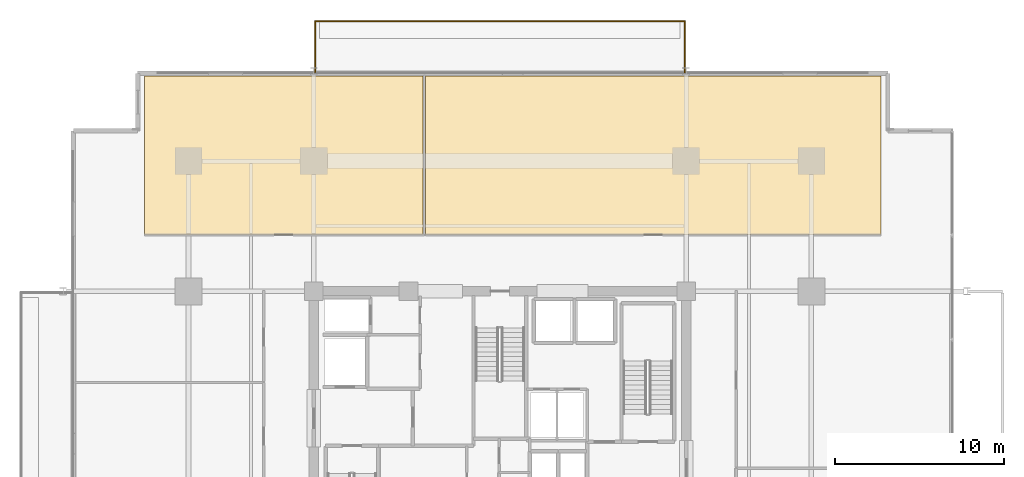
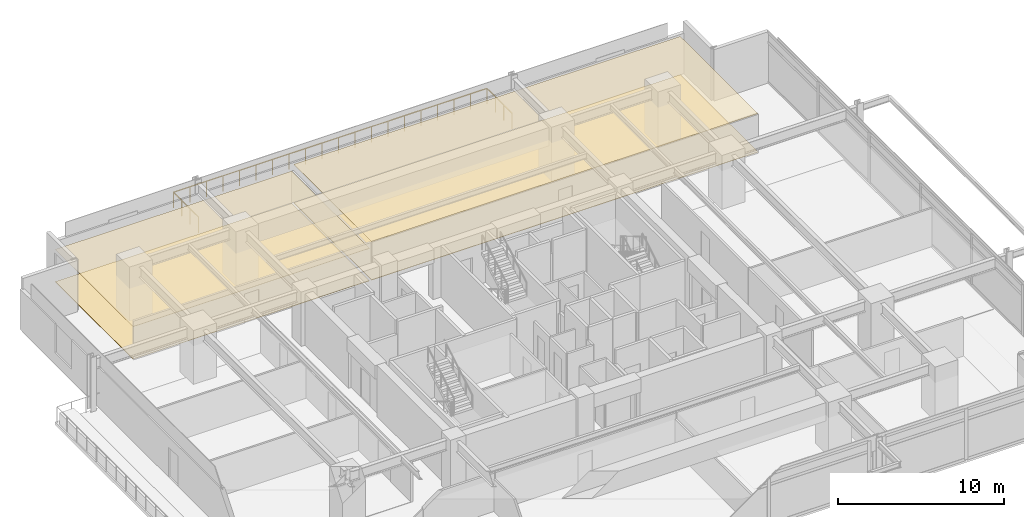
# One storey, part 23 of 23: 4 coverings, 1 railing.
"""IFC4 building model written with IfcOpenShell, lengths in metres."""

from ifc_helpers import new_model, si_unit, direction, frame, origin, origin_2d, place, context, subcontext, project, spatial, polyline, circle, outline, extrude, material, layer, layer_set, type_object, element, save


model = new_model("IFC4")

# Units and contexts
model_context = context("Model", 3, precision=1e-05, world=origin(), true_north=direction((0.0, 1.0)))
body_context = subcontext(model_context, "Body", "Model", "MODEL_VIEW")
ifc_project = project(units=[si_unit("LENGTHUNIT", "METRE"), si_unit("AREAUNIT", "SQUARE_METRE"), si_unit("VOLUMEUNIT", "CUBIC_METRE"), si_unit("PLANEANGLEUNIT", "RADIAN"), si_unit("MASSUNIT", "GRAM", prefix="KILO")], contexts=[model_context])

# Site, building, storey
site_placement = place(None, origin())
site = spatial("IfcSite", under=ifc_project, at=site_placement, CompositionType="ELEMENT")
building_placement = place(site_placement, origin())
building = spatial("IfcBuilding", under=site, at=building_placement, Name="Kovane Verandah Tower", CompositionType="ELEMENT")
storey_placement = place(building_placement, frame((0.0, 0.0, 168.39990234375)))
storey = spatial("IfcBuildingStorey", under=building, at=storey_placement, Name="L39", CompositionType="ELEMENT", Elevation=168.39990234375)

# Coverings
ifc_material_1 = material(Name="Perforated Acoustic Mineral-Fibre Ceiling Tile", Category="gypsum")
ifc_layer_1 = layer(ifc_material_1, 0.02490234375)
ifc_layer_set_1 = layer_set([ifc_layer_1], Name="Perforated Acoustic Mineral-Fibre Ceiling Tile")
covering_type_1 = type_object("IfcCoveringType", Name="CV-CEIL-25", PredefinedType="CEILING", material=ifc_layer_set_1)
covering_1_placement = place(storey_placement, frame((0.0, 0.0, 2.380126953125)))
element("IfcCovering", 1, at=covering_1_placement, inside=storey, type_object=covering_type_1, Name="L39 Focus Studio N1 Acoustic Ceiling", PredefinedType="CEILING", context=body_context, shape_type="SweptSolid", body=[
    extrude(outline(polyline([(18.996826171875, 39.85009765625), (35.465576171875, 39.85009765625), (35.465576171875, 49.232177734375), (18.996826171875, 49.232177734375), (18.996826171875, 39.85009765625)])), origin(), (0.0, 0.0, 1.0), 0.02490234375),
])
covering_2_placement = place(storey_placement, frame((0.0, 0.0, 2.8251953125)))
element("IfcCovering", 2, at=covering_2_placement, inside=storey, type_object=covering_type_1, Name="L39 Breakout Pantry N2 Acoustic Ceiling", PredefinedType="CEILING", context=body_context, shape_type="SweptSolid", body=[
    extrude(outline(polyline([(35.60546875, 39.85009765625), (62.519775390625, 39.85009765625), (62.519775390625, 49.232177734375), (35.60546875, 49.232177734375), (35.60546875, 39.85009765625)])), origin(), (0.0, 0.0, 1.0), 0.02490234375),
])
ifc_material_2 = material(Name="Polished Terrazzo and Raised-Access Carpet Tile Finish", Category="concrete")
ifc_layer_2 = layer(ifc_material_2, 0.030029296875)
ifc_layer_set_2 = layer_set([ifc_layer_2], Name="Polished Terrazzo and Raised-Access Carpet Tile Finish")
covering_type_2 = type_object("IfcCoveringType", Name="CV-FLOR-30", PredefinedType="FLOORING", material=ifc_layer_set_2)
covering_3_placement = place(storey_placement, origin())
element("IfcCovering", 3, at=covering_3_placement, inside=storey, type_object=covering_type_2, Name="L39 Focus Studio N1 Floor Finish", PredefinedType="FLOORING", context=body_context, shape_type="SweptSolid", body=[
    extrude(outline(polyline([(18.996826171875, 39.85009765625), (35.465576171875, 39.85009765625), (35.465576171875, 49.232177734375), (18.996826171875, 49.232177734375), (18.996826171875, 39.85009765625)])), origin(), (0.0, 0.0, 1.0), 0.030029296875),
])
covering_4_placement = place(storey_placement, origin())
element("IfcCovering", 4, at=covering_4_placement, inside=storey, type_object=covering_type_2, Name="L39 Breakout Pantry N2 Floor Finish", PredefinedType="FLOORING", context=body_context, shape_type="SweptSolid", body=[
    extrude(outline(polyline([(35.60546875, 39.85009765625), (62.519775390625, 39.85009765625), (62.519775390625, 49.232177734375), (35.60546875, 49.232177734375), (35.60546875, 39.85009765625)])), origin(), (0.0, 0.0, 1.0), 0.030029296875),
])

# Railing
ifc_material_3 = material(Name="Laminated Glass and Pale-Champagne Stainless Balustrade", Category="glass")
railing_type = type_object("IfcRailingType", Name="RL-BAL-1150", PredefinedType="BALUSTRADE", material=ifc_material_3)
railing_placement = place(storey_placement, frame((29.080078125, 49.43212890625, 0.0)))
element("IfcRailing", 5, at=railing_placement, inside=storey, type_object=railing_type, Name="L39 N Verandah Glass Balustrade", PredefinedType="BALUSTRADE", context=body_context, shape_type="SweptSolid", body=[
    extrude(circle(Radius=0.02392578125, at=origin_2d()), frame((0.0, 0.0, 1.1259765625), z_axis=(0.0, 1.0, 0.0), x_axis=(-1.0, 0.0, 0.0)), (0.0, 0.0, 1.0), 3.02001953125),
    extrude(circle(Radius=0.02392578125, at=origin_2d()), frame((0.0, 3.02001953125, 1.1259765625), z_axis=(1.0, 0.0, 0.0), x_axis=(0.0, 1.0, 0.0)), (0.0, 0.0, 1.0), 21.83984375),
    extrude(circle(Radius=0.02392578125, at=origin_2d()), frame((21.83984375, 3.02001953125, 1.1259765625), z_axis=(0.0, -1.0, 0.0), x_axis=(1.0, 0.0, 0.0)), (0.0, 0.0, 1.0), 3.02001953125),
    extrude(circle(Radius=0.02099609375, at=origin_2d()), origin(), (0.0, 0.0, 1.0), 1.101806640625),
    extrude(circle(Radius=0.02099609375, at=origin_2d()), frame((0.0, 1.006591796875, 0.0)), (0.0, 0.0, 1.0), 1.101806640625),
    extrude(circle(Radius=0.02099609375, at=origin_2d()), frame((0.0, 2.013427734375, 0.0)), (0.0, 0.0, 1.0), 1.101806640625),
    extrude(circle(Radius=0.02099609375, at=origin_2d()), frame((0.0, 3.02001953125, 0.0)), (0.0, 0.0, 1.0), 1.101806640625),
    extrude(circle(Radius=0.02099609375, at=origin_2d()), frame((1.1494140625, 3.02001953125, 0.0)), (0.0, 0.0, 1.0), 1.101806640625),
    extrude(circle(Radius=0.02099609375, at=origin_2d()), frame((2.298828125, 3.02001953125, 0.0)), (0.0, 0.0, 1.0), 1.101806640625),
    extrude(circle(Radius=0.02099609375, at=origin_2d()), frame((3.448486328125, 3.02001953125, 0.0)), (0.0, 0.0, 1.0), 1.101806640625),
    extrude(circle(Radius=0.02099609375, at=origin_2d()), frame((4.597900390625, 3.02001953125, 0.0)), (0.0, 0.0, 1.0), 1.101806640625),
    extrude(circle(Radius=0.02099609375, at=origin_2d()), frame((5.747314453125, 3.02001953125, 0.0)), (0.0, 0.0, 1.0), 1.101806640625),
    extrude(circle(Radius=0.02099609375, at=origin_2d()), frame((6.896728515625, 3.02001953125, 0.0)), (0.0, 0.0, 1.0), 1.101806640625),
    extrude(circle(Radius=0.02099609375, at=origin_2d()), frame((8.046142578125, 3.02001953125, 0.0)), (0.0, 0.0, 1.0), 1.101806640625),
    extrude(circle(Radius=0.02099609375, at=origin_2d()), frame((9.19580078125, 3.02001953125, 0.0)), (0.0, 0.0, 1.0), 1.101806640625),
    extrude(circle(Radius=0.02099609375, at=origin_2d()), frame((10.34521484375, 3.02001953125, 0.0)), (0.0, 0.0, 1.0), 1.101806640625),
    extrude(circle(Radius=0.02099609375, at=origin_2d()), frame((11.49462890625, 3.02001953125, 0.0)), (0.0, 0.0, 1.0), 1.101806640625),
    extrude(circle(Radius=0.02099609375, at=origin_2d()), frame((12.64404296875, 3.02001953125, 0.0)), (0.0, 0.0, 1.0), 1.101806640625),
    extrude(circle(Radius=0.02099609375, at=origin_2d()), frame((13.793701171875, 3.02001953125, 0.0)), (0.0, 0.0, 1.0), 1.101806640625),
    extrude(circle(Radius=0.02099609375, at=origin_2d()), frame((14.943115234375, 3.02001953125, 0.0)), (0.0, 0.0, 1.0), 1.101806640625),
    extrude(circle(Radius=0.02099609375, at=origin_2d()), frame((16.092529296875, 3.02001953125, 0.0)), (0.0, 0.0, 1.0), 1.101806640625),
    extrude(circle(Radius=0.02099609375, at=origin_2d()), frame((17.241943359375, 3.02001953125, 0.0)), (0.0, 0.0, 1.0), 1.101806640625),
    extrude(circle(Radius=0.02099609375, at=origin_2d()), frame((18.391357421875, 3.02001953125, 0.0)), (0.0, 0.0, 1.0), 1.101806640625),
    extrude(circle(Radius=0.02099609375, at=origin_2d()), frame((19.541015625, 3.02001953125, 0.0)), (0.0, 0.0, 1.0), 1.101806640625),
    extrude(circle(Radius=0.02099609375, at=origin_2d()), frame((20.6904296875, 3.02001953125, 0.0)), (0.0, 0.0, 1.0), 1.101806640625),
    extrude(circle(Radius=0.02099609375, at=origin_2d()), frame((21.83984375, 3.02001953125, 0.0)), (0.0, 0.0, 1.0), 1.101806640625),
    extrude(circle(Radius=0.02099609375, at=origin_2d()), frame((21.83984375, 2.013427734375, 0.0)), (0.0, 0.0, 1.0), 1.101806640625),
    extrude(circle(Radius=0.02099609375, at=origin_2d()), frame((21.83984375, 1.006591796875, 0.0)), (0.0, 0.0, 1.0), 1.101806640625),
    extrude(circle(Radius=0.02099609375, at=origin_2d()), frame((21.83984375, 0.0, 0.0)), (0.0, 0.0, 1.0), 1.101806640625),
])

save(model, "model.ifc")
